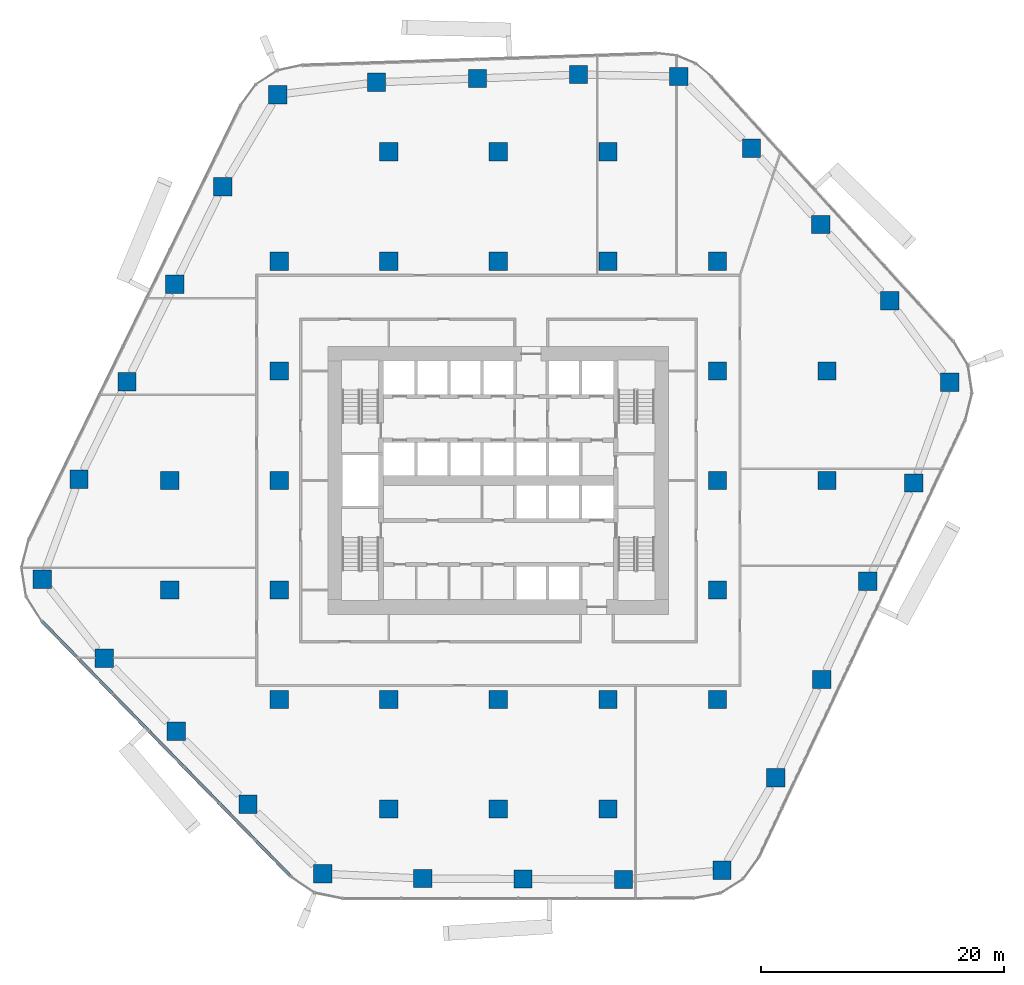
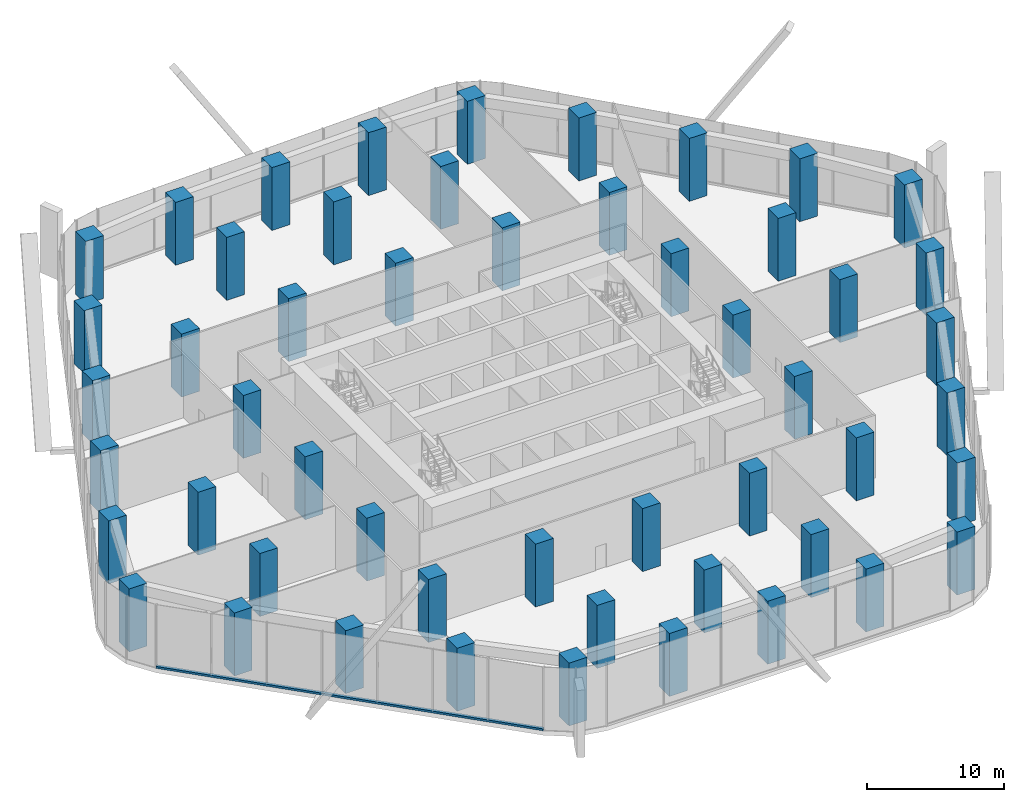
# One storey, part 1 of 19: 52 columns, 1 member, 1 element without a shape of its own.
"""IFC4 building model written with IfcOpenShell, lengths in metres."""

from ifc_helpers import new_model, si_unit, direction, frame, origin, origin_2d, place, context, subcontext, project, spatial, rectangle, extrude, material, layer, layer_set, material_profile, profile_set, type_object, element, aggregate, save


model = new_model("IFC4")

# Units and contexts
model_context = context("Model", 3, precision=1e-05, world=origin(), true_north=direction((0.0, 1.0)))
body_context = subcontext(model_context, "Body", "Model", "MODEL_VIEW")
ifc_project = project(units=[si_unit("LENGTHUNIT", "METRE"), si_unit("AREAUNIT", "SQUARE_METRE"), si_unit("VOLUMEUNIT", "CUBIC_METRE"), si_unit("PLANEANGLEUNIT", "RADIAN"), si_unit("MASSUNIT", "GRAM", prefix="KILO")], contexts=[model_context])

# Site, building, storey
site_placement = place(None, origin())
site = spatial("IfcSite", under=ifc_project, at=site_placement, CompositionType="ELEMENT")
building_placement = place(site_placement, origin())
building = spatial("IfcBuilding", under=site, at=building_placement, Name="Dongbaek Canopy Tower", CompositionType="ELEMENT")
storey_placement = place(building_placement, frame((0.0, 0.0, 38.0)))
storey = spatial("IfcBuildingStorey", under=building, at=storey_placement, Name="L05", CompositionType="ELEMENT", Elevation=38.0)

# Columns
ifc_material_1 = material(Name="Concrete C80", Category="concrete")
ifc_material_profile_1 = material_profile(ifc_material_1, rectangle(XDim=1.5, YDim=1.5, at=origin_2d()), Name="RC COLUMN 1500x1500 C80")
ifc_profile_set_1 = profile_set([ifc_material_profile_1], Name="Concrete C80")
column_type = type_object("IfcColumnType", Name="RC COLUMN 1500x1500 C80", PredefinedType="COLUMN", material=ifc_profile_set_1)
for number, where, z_axis, x_axis, name in (
    (1, (18.367919921875, -32.04296875, 0.0), (0.0, 0.0, 1.0), (1.0, 0.0, 0.0), "COL:CZ1-01:L05"),
    (2, (10.277099609375, -32.7900390625, 0.0), (0.0, 0.0, 1.0), (1.0, 0.0, 0.0), "COL:CZ1-02:L05"),
    (3, (2.027099609375, -32.7529296875, 0.0), (0.0, 0.0, 1.0), (1.0, 0.0, 0.0), "COL:CZ1-03:L05"),
    (4, (-6.221923828125, -32.717041015625, 0.0), (0.0, 0.0, 1.0), (1.0, 0.0, 0.0), "COL:CZ1-04:L05"),
    (5, (-14.43408203125, -32.31298828125, 0.0), (0.0, 0.0, 1.0), (1.0, 0.0, 0.0), "COL:CZ1-05:L05"),
    (6, (-20.573974609375, -26.60205078125, 0.0), (0.0, 0.0, 1.0), (1.0, 0.0, 0.0), "COL:CZ1-06:L05"),
    (7, (-26.47802734375, -20.60791015625, 0.0), (0.0, 0.0, 1.0), (1.0, 0.0, 0.0), "COL:CZ1-07:L05"),
    (8, (-32.382080078125, -14.613037109375, 0.0), (0.0, 0.0, 1.0), (1.0, 0.0, 0.0), "COL:CZ1-08:L05"),
    (9, (-37.489013671875, -8.123046875, 0.0), (0.0, 0.0, 1.0), (1.0, 0.0, 0.0), "COL:CZ1-09:L05"),
    (10, (-34.462890625, 0.10302734375, 0.0), (0.0, 0.0, 1.0), (1.0, 0.0, 0.0), "COL:CZ1-10:L05"),
    (11, (-30.52490234375, 8.111083984375, 0.0), (0.0, 0.0, 1.0), (1.0, 0.0, 0.0), "COL:CZ1-11:L05"),
    (12, (-26.5859375, 16.117919921875, 0.0), (0.0, 0.0, 1.0), (1.0, 0.0, 0.0), "COL:CZ1-12:L05"),
    (13, (-22.64794921875, 24.125, 0.0), (0.0, 0.0, 1.0), (1.0, 0.0, 0.0), "COL:CZ1-13:L05"),
    (14, (-18.138916015625, 31.698974609375, 0.0), (0.0, 0.0, 1.0), (1.0, 0.0, 0.0), "COL:CZ1-14:L05"),
    (15, (-10.006103515625, 32.714111328125, 0.0), (0.0, 0.0, 1.0), (1.0, 0.0, 0.0), "COL:CZ1-15:L05"),
    (16, (-1.7080078125, 33.031982421875, 0.0), (0.0, 0.0, 1.0), (1.0, 0.0, 0.0), "COL:CZ1-16:L05"),
    (17, (6.589111328125, 33.34912109375, 0.0), (0.0, 0.0, 1.0), (1.0, 0.0, 0.0), "COL:CZ1-17:L05"),
    (18, (14.830078125, 33.194091796875, 0.0), (0.0, 0.0, 1.0), (1.0, 0.0, 0.0), "COL:CZ1-18:L05"),
    (19, (20.804931640625, 27.297119140625, 0.0), (0.0, 0.0, 1.0), (1.0, 0.0, 0.0), "COL:CZ1-19:L05"),
    (20, (26.48193359375, 21.029052734375, 0.0), (0.0, 0.0, 1.0), (1.0, 0.0, 0.0), "COL:CZ1-20:L05"),
    (21, (32.157958984375, 14.760986328125, 0.0), (0.0, 0.0, 1.0), (1.0, 0.0, 0.0), "COL:CZ1-21:L05"),
    (22, (37.097900390625, 8.06591796875, 0.0), (0.0, 0.0, 1.0), (1.0, 0.0, 0.0), "COL:CZ1-22:L05"),
    (23, (34.14306640625, -0.205078125, 0.0), (0.0, 0.0, 1.0), (1.0, 0.0, 0.0), "COL:CZ1-23:L05"),
    (24, (30.360107421875, -8.283935546875, 0.0), (0.0, 0.0, 1.0), (1.0, 0.0, 0.0), "COL:CZ1-24:L05"),
    (25, (26.575927734375, -16.364013671875, 0.0), (0.0, 0.0, 1.0), (1.0, 0.0, 0.0), "COL:CZ1-25:L05"),
    (26, (22.7919921875, -24.443115234375, 0.0), (0.0, 0.0, 1.0), (1.0, 0.0, 0.0), "COL:CZ1-26:L05"),
    (27, (-27.0, -9.0, 0.0), (0.0, 0.0, 1.0), (1.0, 0.0, 0.0), "COL:CIZ1-01:L05"),
    (28, (-27.0, 0.0, 0.0), (0.0, 0.0, 1.0), (1.0, 0.0, 0.0), "COL:CIZ1-02:L05"),
    (29, (-18.0, -18.0, 0.0), (0.0, 0.0, 1.0), (1.0, 0.0, 0.0), "COL:CIZ1-03:L05"),
    (30, (-18.0, -9.0, 0.0), (0.0, 0.0, 1.0), (1.0, 0.0, 0.0), "COL:CIZ1-04:L05"),
    (31, (-18.0, 0.0, 0.0), (0.0, 0.0, 1.0), (1.0, 0.0, 0.0), "COL:CIZ1-05:L05"),
    (32, (-18.0, 9.0, 0.0), (0.0, 0.0, 1.0), (1.0, 0.0, 0.0), "COL:CIZ1-06:L05"),
    (33, (-18.0, 18.0, 0.0), (0.0, 0.0, 1.0), (1.0, 0.0, 0.0), "COL:CIZ1-07:L05"),
    (34, (-9.0, -27.0, 0.0), (0.0, 0.0, 1.0), (1.0, 0.0, 0.0), "COL:CIZ1-08:L05"),
    (35, (-9.0, -18.0, 0.0), (0.0, 0.0, 1.0), (1.0, 0.0, 0.0), "COL:CIZ1-09:L05"),
    (36, (-9.0, 18.0, 0.0), (0.0, 0.0, 1.0), (1.0, 0.0, 0.0), "COL:CIZ1-10:L05"),
    (37, (-9.0, 27.0, 0.0), (0.0, 0.0, 1.0), (1.0, 0.0, 0.0), "COL:CIZ1-11:L05"),
    (38, (0.0, -27.0, 0.0), (0.0, 0.0, 1.0), (1.0, 0.0, 0.0), "COL:CIZ1-12:L05"),
    (39, (0.0, -18.0, 0.0), (0.0, 0.0, 1.0), (1.0, 0.0, 0.0), "COL:CIZ1-13:L05"),
    (40, (0.0, 18.0, 0.0), (0.0, 0.0, 1.0), (1.0, 0.0, 0.0), "COL:CIZ1-14:L05"),
    (41, (0.0, 27.0, 0.0), (0.0, 0.0, 1.0), (1.0, 0.0, 0.0), "COL:CIZ1-15:L05"),
    (42, (9.0, -27.0, 0.0), (0.0, 0.0, 1.0), (1.0, 0.0, 0.0), "COL:CIZ1-16:L05"),
    (43, (9.0, -18.0, 0.0), (0.0, 0.0, 1.0), (1.0, 0.0, 0.0), "COL:CIZ1-17:L05"),
    (44, (9.0, 18.0, 0.0), (0.0, 0.0, 1.0), (1.0, 0.0, 0.0), "COL:CIZ1-18:L05"),
    (45, (9.0, 27.0, 0.0), (0.0, 0.0, 1.0), (1.0, 0.0, 0.0), "COL:CIZ1-19:L05"),
    (46, (18.0, -18.0, 0.0), (0.0, 0.0, 1.0), (1.0, 0.0, 0.0), "COL:CIZ1-20:L05"),
    (47, (18.0, -9.0, 0.0), (0.0, 0.0, 1.0), (1.0, 0.0, 0.0), "COL:CIZ1-21:L05"),
    (48, (18.0, 0.0, 0.0), (0.0, 0.0, 1.0), (1.0, 0.0, 0.0), "COL:CIZ1-22:L05"),
    (49, (18.0, 9.0, 0.0), (0.0, 0.0, 1.0), (1.0, 0.0, 0.0), "COL:CIZ1-23:L05"),
    (50, (18.0, 18.0, 0.0), (0.0, 0.0, 1.0), (1.0, 0.0, 0.0), "COL:CIZ1-24:L05"),
    (51, (27.0, 0.0, 0.0), (0.0, 0.0, 1.0), (1.0, 0.0, 0.0), "COL:CIZ1-25:L05"),
    (52, (27.0, 9.0, 0.0), (0.0, 0.0, 1.0), (1.0, 0.0, 0.0), "COL:CIZ1-26:L05"),
):
    element("IfcColumn", number, at=place(storey_placement, frame(where, z_axis=z_axis, x_axis=x_axis)), inside=storey, type_object=column_type, Name=name, PredefinedType="COLUMN", context=body_context, shape_type="SweptSolid", body=[
        extrude(rectangle(XDim=1.5, YDim=1.5, at=origin_2d()), origin(), (0.0, 0.0, 1.0), 5.60009765625),
    ])

# Curtain wall, member
ifc_material_2 = material(Name="Aluminium 6063-T6 pale anodised", Category="aluminium")
ifc_layer = layer(ifc_material_2, 0.25)
ifc_layer_set = layer_set([ifc_layer], Name="CW-4 sky-lobby curtain wall")
curtain_wall_type = type_object("IfcCurtainWallType", Name="CW-4 sky-lobby curtain wall", PredefinedType="NOTDEFINED", material=ifc_layer_set)
curtain_wall_placement = place(storey_placement, origin())
curtain_wall = element("IfcCurtainWall", 53, at=curtain_wall_placement, inside=storey, type_object=curtain_wall_type, Name="CW-4 curtain wall F3.1", PredefinedType="NOTDEFINED")
ifc_material_3 = material(Name="Aluminium 6063-T6 pale anodised", Category="aluminium")
ifc_material_profile_2 = material_profile(ifc_material_3, rectangle(XDim=0.25, YDim=0.179931640625, at=origin_2d()), Name="CW-4 transom 180 x 250")
ifc_profile_set_2 = profile_set([ifc_material_profile_2], Name="Aluminium 6063-T6 pale anodised")
member_type = type_object("IfcMemberType", Name="CW-4 transom 180 x 250", PredefinedType="USERDEFINED", material=ifc_profile_set_2)
member_placement = place(storey_placement, frame((-37.50732421875, -11.57666015625, 0.090087890625), z_axis=(0.69818104394, -0.715921245587, 0.0), x_axis=(0.715921245587, 0.69818104394, 0.0)))
member = element("IfcMember", 54, at=member_placement, type_object=member_type, Name="CW-4 transom F3.1.1", ObjectType="TRANSOM", PredefinedType="USERDEFINED", context=body_context, shape_type="SweptSolid", body=[
    extrude(rectangle(XDim=0.25, YDim=0.179931640625, at=origin_2d()), origin(), (0.0, 0.0, 1.0), 29.31298828125),
])
aggregate(curtain_wall, [member])

save(model, "model.ifc")
